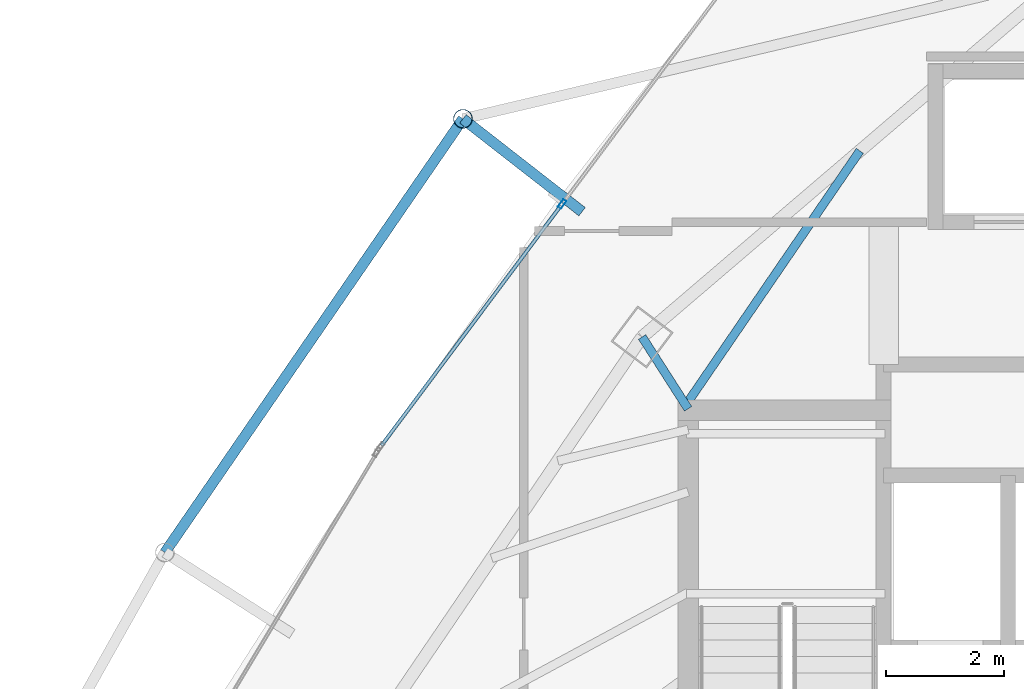
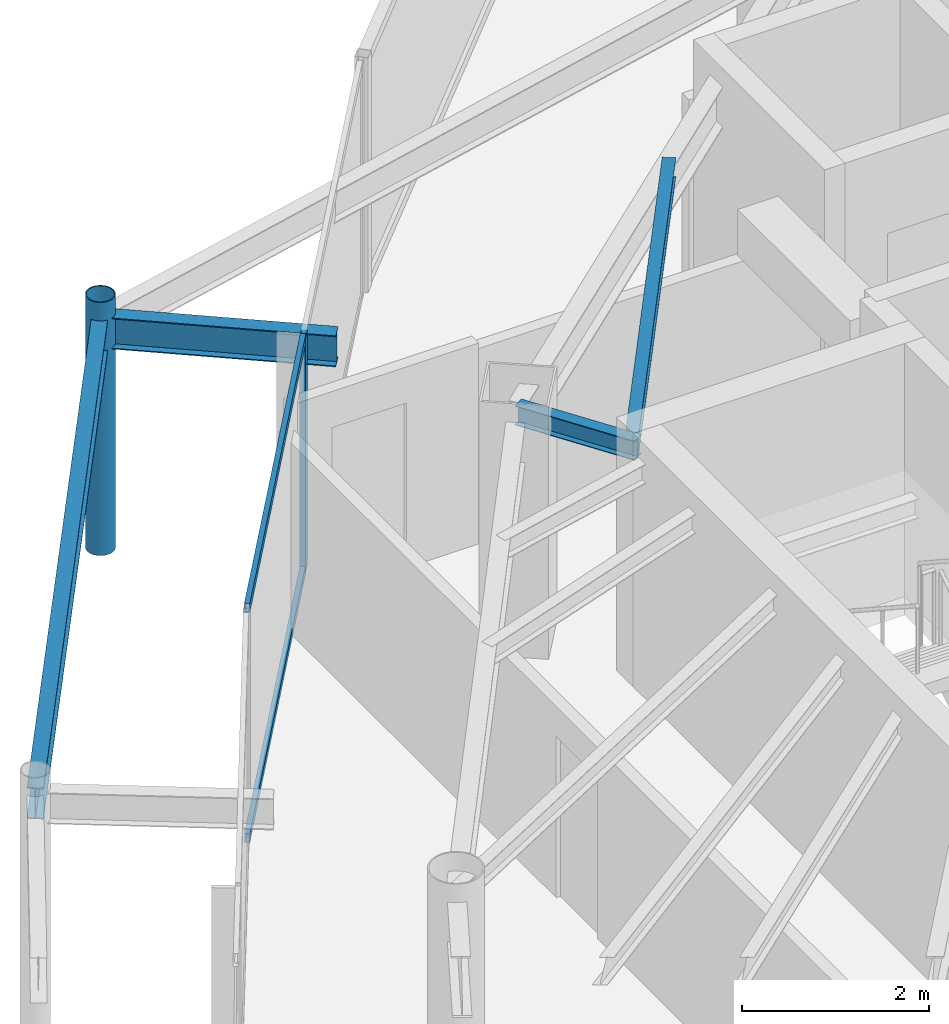
# One storey, part 23 of 34: 4 beams, 4 members, 1 element without a shape of its own.
"""IFC4 building model written with IfcOpenShell, lengths in metres."""

from ifc_helpers import new_model, si_unit, direction, frame, origin, origin_2d, place, context, subcontext, project, spatial, hollow_rectangle, hollow_circle, i_section, extrude, material, layer, layer_set, material_profile, profile_set, type_object, element, aggregate, save


model = new_model("IFC4")

# Units and contexts
model_context = context("Model", 3, precision=1e-05, world=origin(), true_north=direction((0.0, 1.0)))
body_context = subcontext(model_context, "Body", "Model", "MODEL_VIEW")
ifc_project = project(units=[si_unit("LENGTHUNIT", "METRE"), si_unit("AREAUNIT", "SQUARE_METRE"), si_unit("VOLUMEUNIT", "CUBIC_METRE"), si_unit("PLANEANGLEUNIT", "RADIAN"), si_unit("MASSUNIT", "GRAM", prefix="KILO")], contexts=[model_context])

# Site, building, storey
site_placement = place(None, origin())
site = spatial("IfcSite", under=ifc_project, at=site_placement, CompositionType="ELEMENT")
building_placement = place(site_placement, origin())
building = spatial("IfcBuilding", under=site, at=building_placement, Name="Orvanel Arch Residences", CompositionType="ELEMENT")
storey_placement = place(building_placement, frame((0.0, 0.0, 199.699951171875)))
storey = spatial("IfcBuildingStorey", under=building, at=storey_placement, Name="L56", CompositionType="ELEMENT", Elevation=199.699951171875)

# Beams
ifc_material_1 = material(Name="Structural steel AS/NZS 3679.1 Grade 300 (300 MPa)", Category="steel")
ifc_material_profile_1 = material_profile(ifc_material_1, i_section(OverallWidth=0.14599609375, OverallDepth=0.251953125, WebThickness=0.006103515625, FlangeThickness=0.008544921875, at=origin_2d()), Name="250UB31.4")
ifc_profile_set_1 = profile_set([ifc_material_profile_1], Name="Structural steel AS/NZS 3679.1 Grade 300 (300 MPa)")
beam_type_1 = type_object("IfcBeamType", Name="BJ-250UB", PredefinedType="JOIST", material=ifc_profile_set_1)
beam_1_placement = place(storey_placement, frame((26.425048828125, 33.89990234375, 2.93408203125), z_axis=(-0.539395075146, 0.842052820735, 0.0), x_axis=(-0.842052820735, -0.539395075146, 0.0)))
element("IfcBeam", 1, at=beam_1_placement, inside=storey, type_object=beam_type_1, Name="L56 NNW Wing Floor Joist", PredefinedType="JOIST", context=body_context, shape_type="SweptSolid", body=[
    extrude(i_section(OverallWidth=0.14599609375, OverallDepth=0.251953125, WebThickness=0.006103515625, FlangeThickness=0.008544921875, at=origin_2d()), origin(), (0.0, 0.0, 1.0), 1.440673828125),
])
beam_2_placement = place(storey_placement, frame((26.425048828125, 34.02001953125, 2.93408203125), z_axis=(0.564868085352, 0.825181220188, 0.0), x_axis=(-0.825181220188, 0.564868085352, 0.0)))
element("IfcBeam", 2, at=beam_2_placement, inside=storey, type_object=beam_type_1, Name="L56 NNW2 Wing Floor Joist", PredefinedType="JOIST", context=body_context, shape_type="SweptSolid", body=[
    extrude(i_section(OverallWidth=0.14599609375, OverallDepth=0.251953125, WebThickness=0.006103515625, FlangeThickness=0.008544921875, at=origin_2d()), origin(), (0.0, 0.0, 1.0), 5.132080078125),
])

# Curtain wall, member
ifc_material_2 = material(Name="Bronze-anodised aluminium AA6063-T6", Category="aluminium")
ifc_layer = layer(ifc_material_2, 0.175048828125)
ifc_layer_set = layer_set([ifc_layer], Name="Bronze-anodised aluminium AA6063-T6")
curtain_wall_type = type_object("IfcCurtainWallType", Name="CW4-HI-SYS", PredefinedType="NOTDEFINED", material=ifc_layer_set)
curtain_wall_placement = place(storey_placement, origin())
curtain_wall = element("IfcCurtainWall", 3, at=curtain_wall_placement, inside=storey, type_object=curtain_wall_type, Name="L56 CW4-HI-SYS Unitised Curtain Wall", PredefinedType="NOTDEFINED")
ifc_material_profile_2 = material_profile(ifc_material_2, hollow_rectangle(XDim=0.06494140625, YDim=0.159912109375, WallThickness=0.00390625, at=origin_2d()), Name="ALU160x65x4")
ifc_profile_set_2 = profile_set([ifc_material_profile_2], Name="Bronze-anodised aluminium AA6063-T6")
member_type_1 = type_object("IfcMemberType", Name="MUL-160x65", PredefinedType="MULLION", material=ifc_profile_set_2)
member_1_placement = place(storey_placement, frame((24.297607421875, 37.35693359375, 0.0), z_axis=(0.0, 0.0, 1.0), x_axis=(0.800790783216, -0.598944172287, 0.0)))
member_1 = element("IfcMember", 4, at=member_1_placement, type_object=member_type_1, Name="CW-S4 mullion 2", PredefinedType="MULLION", context=body_context, shape_type="SweptSolid", body=[
    extrude(hollow_rectangle(XDim=0.06494140625, YDim=0.159912109375, WallThickness=0.00390625, at=origin_2d()), origin(), (0.0, 0.0, 1.0), 3.06005859375),
])

# Beams
ifc_material_profile_3 = material_profile(ifc_material_1, i_section(OverallWidth=0.177978515625, OverallDepth=0.406005859375, WebThickness=0.0078125, FlangeThickness=0.0126953125, at=origin_2d()), Name="410UB59.7")
ifc_profile_set_3 = profile_set([ifc_material_profile_3], Name="Structural steel AS/NZS 3679.1 Grade 300 (300 MPa)")
beam_type_2 = type_object("IfcBeamType", Name="OB-410UB-EXT", PredefinedType="SPANDREL", material=ifc_profile_set_3)
beam_3_placement = place(storey_placement, frame((24.635009765625, 37.22705078125, 2.85693359375), z_axis=(-0.788635080154, 0.614861537544, 0.0), x_axis=(-0.614861537544, -0.788635080154, 0.0)))
element("IfcBeam", 5, at=beam_3_placement, inside=storey, type_object=beam_type_2, Name="L56 Outer Frame Radial Tie Beam 01", PredefinedType="SPANDREL", context=body_context, shape_type="SweptSolid", body=[
    extrude(i_section(OverallWidth=0.177978515625, OverallDepth=0.406005859375, WebThickness=0.0078125, FlangeThickness=0.0126953125, at=origin_2d()), origin(), (0.0, 0.0, 1.0), 2.550048828125),
])
beam_4_placement = place(storey_placement, frame((22.6240234375, 38.794921875, 2.85693359375), z_axis=(-0.566423828301, -0.824114098128, 0.0), x_axis=(0.824114098128, -0.566423828301, 0.0)))
element("IfcBeam", 6, at=beam_4_placement, inside=storey, type_object=beam_type_2, Name="L56 Outer Perimeter Floor Ring Beam 01", PredefinedType="SPANDREL", context=body_context, shape_type="SweptSolid", body=[
    extrude(i_section(OverallWidth=0.177978515625, OverallDepth=0.406005859375, WebThickness=0.0078125, FlangeThickness=0.0126953125, at=origin_2d()), origin(), (0.0, 0.0, 1.0), 8.882080078125),
])

# Member
ifc_material_3 = material(Name="Structural steel AS/NZS 1163 C350L0 (Grade 350)", Category="steel")
ifc_material_profile_4 = material_profile(ifc_material_3, hollow_circle(Radius=0.162109375, WallThickness=0.0126953125, at=origin_2d()), Name="CHS324x12.7")
ifc_profile_set_4 = profile_set([ifc_material_profile_4], Name="Structural steel AS/NZS 1163 C350L0 (Grade 350)")
member_type_2 = type_object("IfcMemberType", Name="ST-324CHS-EXT", PredefinedType="STRUT", material=ifc_profile_set_4)
member_2_placement = place(storey_placement, frame((22.6240234375, 38.794921875, 0.0), z_axis=(0.0, 0.0, 1.0), x_axis=(1.0, 0.0, 0.0)))
element("IfcMember", 7, at=member_2_placement, inside=storey, type_object=member_type_2, Name="L56 Outer Perimeter Frame Post 01", PredefinedType="STRUT", context=body_context, shape_type="SweptSolid", body=[
    extrude(hollow_circle(Radius=0.162109375, WallThickness=0.0126953125, at=origin_2d()), origin(), (0.0, 0.0, 1.0), 3.300048828125),
])

ifc_material_profile_5 = material_profile(ifc_material_2, hollow_rectangle(XDim=0.06005859375, YDim=0.1201171875, WallThickness=0.00341796875, at=origin_2d()), Name="ALU120x60x3.5")
ifc_profile_set_5 = profile_set([ifc_material_profile_5], Name="Bronze-anodised aluminium AA6063-T6")
member_type_3 = type_object("IfcMemberType", Name="TRN-120x60", PredefinedType="USERDEFINED", material=ifc_profile_set_5)
member_3_placement = place(storey_placement, frame((24.278076171875, 37.3310546875, 0.030029296875), z_axis=(-0.598925863261, -0.800804476959, 0.0), x_axis=(0.800804476959, -0.598925863261, 0.0)))
member_3 = element("IfcMember", 8, at=member_3_placement, type_object=member_type_3, Name="CW-S4 transom 2.1", ObjectType="TRANSOM", PredefinedType="USERDEFINED", context=body_context, shape_type="SweptSolid", body=[
    extrude(hollow_rectangle(XDim=0.06005859375, YDim=0.1201171875, WallThickness=0.00341796875, at=origin_2d()), origin(), (0.0, 0.0, 1.0), 5.057373046875),
])

member_4_placement = place(storey_placement, frame((24.278076171875, 37.3310546875, 3.030029296875), z_axis=(-0.598925863261, -0.800804476959, 0.0), x_axis=(0.800804476959, -0.598925863261, 0.0)))
member_4 = element("IfcMember", 9, at=member_4_placement, type_object=member_type_3, Name="CW-S4 transom 2.2", ObjectType="TRANSOM", PredefinedType="USERDEFINED", context=body_context, shape_type="SweptSolid", body=[
    extrude(hollow_rectangle(XDim=0.06005859375, YDim=0.1201171875, WallThickness=0.00341796875, at=origin_2d()), origin(), (0.0, 0.0, 1.0), 5.057373046875),
])

aggregate(curtain_wall, [member_1, member_3, member_4])

save(model, "model.ifc")
